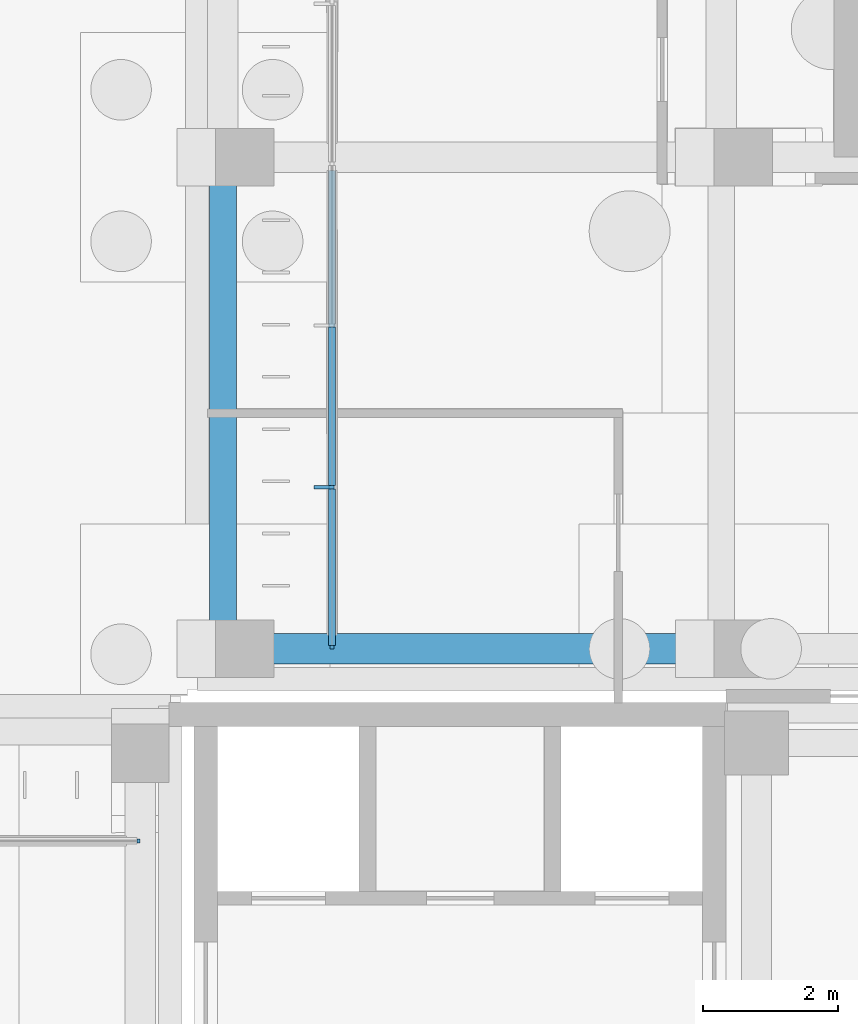
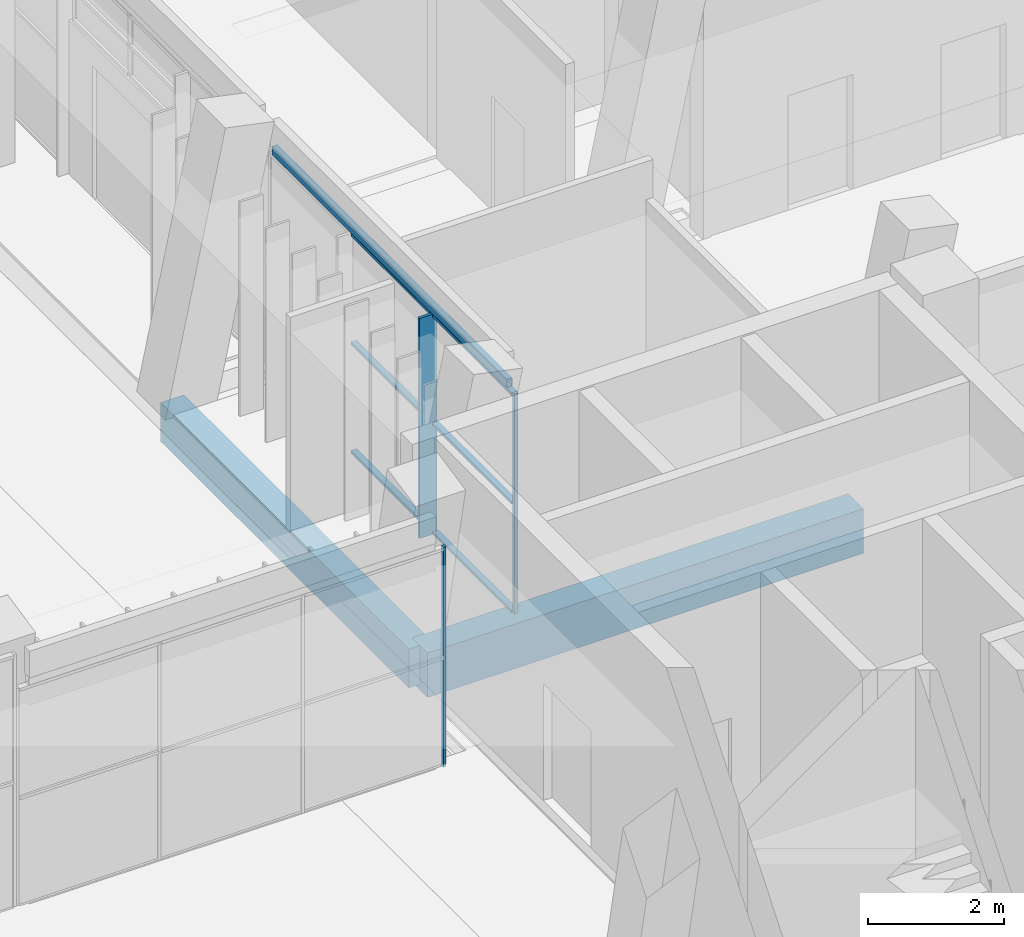
# One storey, part 70 of 144: 9 members, 3 beams, 2 elements without a shape of their own.
"""IFC4 building model written with IfcOpenShell, lengths in metres."""

from ifc_helpers import new_model, si_unit, direction, frame, origin, origin_2d, place, context, subcontext, project, spatial, rectangle, hollow_rectangle, extrude, material, material_profile, profile_set, type_object, element, aggregate, save


model = new_model("IFC4")

# Units and contexts
model_context = context("Model", 3, precision=1e-05, world=origin(), true_north=direction((0.0, 1.0)))
body_context = subcontext(model_context, "Body", "Model", "MODEL_VIEW")
ifc_project = project(units=[si_unit("LENGTHUNIT", "METRE"), si_unit("AREAUNIT", "SQUARE_METRE"), si_unit("VOLUMEUNIT", "CUBIC_METRE"), si_unit("PLANEANGLEUNIT", "RADIAN"), si_unit("MASSUNIT", "GRAM", prefix="KILO")], contexts=[model_context])

# Site, building, storey
site_placement = place(None, origin())
site = spatial("IfcSite", under=ifc_project, at=site_placement, CompositionType="ELEMENT")
building_placement = place(site_placement, origin())
building = spatial("IfcBuilding", under=site, at=building_placement, Name="Lantern Court Media Centre", CompositionType="ELEMENT")
storey_placement = place(building_placement, origin())
storey = spatial("IfcBuildingStorey", under=building, at=storey_placement, Name="L00", CompositionType="ELEMENT", Elevation=0.0)

# Curtain wall, member
ifc_material_1 = material(Name="Curtain wall bay 2400")
curtain_wall_type = type_object("IfcCurtainWallType", Name="Curtain wall bay 2400", PredefinedType="NOTDEFINED", material=ifc_material_1)
curtain_wall_1_placement = place(storey_placement, origin())
curtain_wall_1 = element("IfcCurtainWall", 1, at=curtain_wall_1_placement, inside=storey, type_object=curtain_wall_type, Name="Curtain wall E inner L00", PredefinedType="NOTDEFINED")
ifc_material_2 = material(Name="Anodised aluminium", Category="aluminium")
ifc_material_profile_1 = material_profile(ifc_material_2, rectangle(XDim=0.300048828125, YDim=0.050048828125, at=origin_2d()), Name="AL 50x300")
ifc_profile_set_1 = profile_set([ifc_material_profile_1], Name="Anodised aluminium")
member_type_1 = type_object("IfcMemberType", Name="Curtain wall mullion 50x300", PredefinedType="MULLION", material=ifc_profile_set_1)
member_1_placement = place(storey_placement, frame((82.030029296875, 67.10009765625, 0.0), z_axis=(0.0, 0.0, 1.0), x_axis=(-1.0, 0.0, 0.0)))
member_1 = element("IfcMember", 2, at=member_1_placement, type_object=member_type_1, Name="CW2 mullion 2", PredefinedType="MULLION", context=body_context, shape_type="SweptSolid", body=[
    extrude(rectangle(XDim=0.300048828125, YDim=0.050048828125, at=origin_2d()), origin(), (0.0, 0.0, 1.0), 3.949951171875),
])

curtain_wall_2_placement = place(storey_placement, origin())
curtain_wall_2 = element("IfcCurtainWall", 3, at=curtain_wall_2_placement, inside=storey, type_object=curtain_wall_type, Name="Curtain wall S inner L00", PredefinedType="NOTDEFINED")
ifc_material_profile_2 = material_profile(ifc_material_2, rectangle(XDim=0.06005859375, YDim=0.050048828125, at=origin_2d()), Name="AL 50x60")
ifc_profile_set_2 = profile_set([ifc_material_profile_2], Name="Anodised aluminium")
member_type_2 = type_object("IfcMemberType", Name="Curtain wall mullion 50x60", PredefinedType="MULLION", material=ifc_profile_set_2)
member_2_placement = place(storey_placement, frame((79.27490234375, 61.85009765625, 0.0), z_axis=(0.0, 0.0, 1.0), x_axis=(0.0, 1.0, 0.0)))
member_2 = element("IfcMember", 4, at=member_2_placement, type_object=member_type_2, Name="CW2 mullion 4", PredefinedType="MULLION", context=body_context, shape_type="SweptSolid", body=[
    extrude(rectangle(XDim=0.06005859375, YDim=0.050048828125, at=origin_2d()), origin(), (0.0, 0.0, 1.0), 3.949951171875),
])
aggregate(curtain_wall_2, [member_2])

# Member
member_3_placement = place(storey_placement, frame((82.14990234375, 64.72509765625, 0.0), z_axis=(0.0, 0.0, 1.0), x_axis=(-1.0, 0.0, 0.0)))
member_3 = element("IfcMember", 5, at=member_3_placement, type_object=member_type_2, Name="CW2 mullion 1", PredefinedType="MULLION", context=body_context, shape_type="SweptSolid", body=[
    extrude(rectangle(XDim=0.06005859375, YDim=0.050048828125, at=origin_2d()), origin(), (0.0, 0.0, 1.0), 3.949951171875),
])

ifc_material_profile_3 = material_profile(ifc_material_2, rectangle(XDim=0.10009765625, YDim=0.050048828125, at=origin_2d()), Name="AL 50x100")
ifc_profile_set_3 = profile_set([ifc_material_profile_3], Name="Anodised aluminium")
member_type_3 = type_object("IfcMemberType", Name="Curtain wall transom 100x50", PredefinedType="USERDEFINED", material=ifc_profile_set_3)
member_4_placement = place(storey_placement, frame((82.14990234375, 64.75, 0.02490234375), z_axis=(0.0, 1.0, 0.0), x_axis=(-1.0, 0.0, 0.0)))
member_4 = element("IfcMember", 6, at=member_4_placement, type_object=member_type_3, Name="CW2 transom 1.1", ObjectType="TRANSOM", PredefinedType="USERDEFINED", context=body_context, shape_type="SweptSolid", body=[
    extrude(rectangle(XDim=0.10009765625, YDim=0.050048828125, at=origin_2d()), origin(), (0.0, 0.0, 1.0), 2.324951171875),
])

member_5_placement = place(storey_placement, frame((82.14990234375, 64.75, 1.97509765625), z_axis=(0.0, 1.0, 0.0), x_axis=(-1.0, 0.0, 0.0)))
member_5 = element("IfcMember", 7, at=member_5_placement, type_object=member_type_3, Name="CW2 transom 1.2", ObjectType="TRANSOM", PredefinedType="USERDEFINED", context=body_context, shape_type="SweptSolid", body=[
    extrude(rectangle(XDim=0.10009765625, YDim=0.050048828125, at=origin_2d()), origin(), (0.0, 0.0, 1.0), 2.324951171875),
])

member_6_placement = place(storey_placement, frame((82.14990234375, 64.75, 3.925048828125), z_axis=(0.0, 1.0, 0.0), x_axis=(-1.0, 0.0, 0.0)))
member_6 = element("IfcMember", 8, at=member_6_placement, type_object=member_type_3, Name="CW2 transom 1.3", ObjectType="TRANSOM", PredefinedType="USERDEFINED", context=body_context, shape_type="SweptSolid", body=[
    extrude(rectangle(XDim=0.10009765625, YDim=0.050048828125, at=origin_2d()), origin(), (0.0, 0.0, 1.0), 2.324951171875),
])

member_7_placement = place(storey_placement, frame((82.14990234375, 67.125, 0.02490234375), z_axis=(0.0, 1.0, 0.0), x_axis=(-1.0, 0.0, 0.0)))
member_7 = element("IfcMember", 9, at=member_7_placement, type_object=member_type_3, Name="CW2 transom 2.1", ObjectType="TRANSOM", PredefinedType="USERDEFINED", context=body_context, shape_type="SweptSolid", body=[
    extrude(rectangle(XDim=0.10009765625, YDim=0.050048828125, at=origin_2d()), origin(), (0.0, 0.0, 1.0), 2.35009765625),
])

member_8_placement = place(storey_placement, frame((82.14990234375, 67.125, 1.97509765625), z_axis=(0.0, 1.0, 0.0), x_axis=(-1.0, 0.0, 0.0)))
member_8 = element("IfcMember", 10, at=member_8_placement, type_object=member_type_3, Name="CW2 transom 2.2", ObjectType="TRANSOM", PredefinedType="USERDEFINED", context=body_context, shape_type="SweptSolid", body=[
    extrude(rectangle(XDim=0.10009765625, YDim=0.050048828125, at=origin_2d()), origin(), (0.0, 0.0, 1.0), 2.35009765625),
])

member_9_placement = place(storey_placement, frame((82.14990234375, 67.125, 3.925048828125), z_axis=(0.0, 1.0, 0.0), x_axis=(-1.0, 0.0, 0.0)))
member_9 = element("IfcMember", 11, at=member_9_placement, type_object=member_type_3, Name="CW2 transom 2.3", ObjectType="TRANSOM", PredefinedType="USERDEFINED", context=body_context, shape_type="SweptSolid", body=[
    extrude(rectangle(XDim=0.10009765625, YDim=0.050048828125, at=origin_2d()), origin(), (0.0, 0.0, 1.0), 2.35009765625),
])

aggregate(curtain_wall_1, [member_3, member_1, member_4, member_5, member_6, member_7, member_8, member_9])

# Beams
ifc_material_3 = material(Name="Steel S355J2 (EN 10025-2)", Category="steel")
ifc_material_profile_4 = material_profile(ifc_material_3, hollow_rectangle(XDim=0.10009765625, YDim=0.14990234375, WallThickness=0.00634765625, InnerFilletRadius=0.00634765625, OuterFilletRadius=0.009521484375, at=origin_2d()), Name="Facade head lintel RHS 150x100x6.3")
ifc_profile_set_4 = profile_set([ifc_material_profile_4], Name="Steel S355J2 (EN 10025-2)")
beam_type_1 = type_object("IfcBeamType", Name="Facade head lintel RHS 150x100x6.3", PredefinedType="BEAM", material=ifc_profile_set_4)
beam_1_placement = place(storey_placement, frame((82.14990234375, 64.89990234375, 4.02490234375), z_axis=(0.0, 1.0, 0.0), x_axis=(-1.0, 0.0, 0.0)))
element("IfcBeam", 12, at=beam_1_placement, inside=storey, type_object=beam_type_1, Name="Facade head lintel E L00", PredefinedType="BEAM", context=body_context, shape_type="SweptSolid", body=[
    extrude(hollow_rectangle(XDim=0.10009765625, YDim=0.14990234375, WallThickness=0.00634765625, InnerFilletRadius=0.00634765625, OuterFilletRadius=0.009521484375, at=origin_2d()), origin(), (0.0, 0.0, 1.0), 6.900146484375),
])
ifc_material_4 = material(Name="Concrete C35", Category="concrete")
ifc_material_profile_5 = material_profile(ifc_material_4, rectangle(XDim=0.39990234375, YDim=0.699951171875, at=origin_2d()), Name="RC 400x700")
ifc_profile_set_5 = profile_set([ifc_material_profile_5], Name="Concrete C35")
beam_type_2 = type_object("IfcBeamType", Name="RC BEAM 400x700", PredefinedType="BEAM", material=ifc_profile_set_5)
beam_2_placement = place(storey_placement, frame((80.527099609375, 64.699951171875, -0.35009765625), z_axis=(0.0, 1.0, 0.0), x_axis=(-1.0, 0.0, 0.0)))
element("IfcBeam", 13, at=beam_2_placement, inside=storey, type_object=beam_type_2, Name="LB-E-L00-0-0", PredefinedType="BEAM", context=body_context, shape_type="SweptSolid", body=[
    extrude(rectangle(XDim=0.39990234375, YDim=0.699951171875, at=origin_2d()), origin(), (0.0, 0.0, 1.0), 7.300048828125),
])
ifc_material_profile_6 = material_profile(ifc_material_4, rectangle(XDim=0.449951171875, YDim=0.800048828125, at=origin_2d()), Name="RC 450x800")
ifc_profile_set_6 = profile_set([ifc_material_profile_6], Name="Concrete C35")
beam_type_3 = type_object("IfcBeamType", Name="RC BEAM 450x800", PredefinedType="BEAM", material=ifc_profile_set_6)
beam_3_placement = place(storey_placement, frame((80.5166015625, 64.699951171875, -0.39990234375), z_axis=(1.0, 0.0, 0.0), x_axis=(0.0, 1.0, 0.0)))
element("IfcBeam", 14, at=beam_3_placement, inside=storey, type_object=beam_type_3, Name="TB-E-L00-0-1", PredefinedType="BEAM", context=body_context, shape_type="SweptSolid", body=[
    extrude(rectangle(XDim=0.449951171875, YDim=0.800048828125, at=origin_2d()), origin(), (0.0, 0.0, 1.0), 7.400146484375),
])

save(model, "model.ifc")
